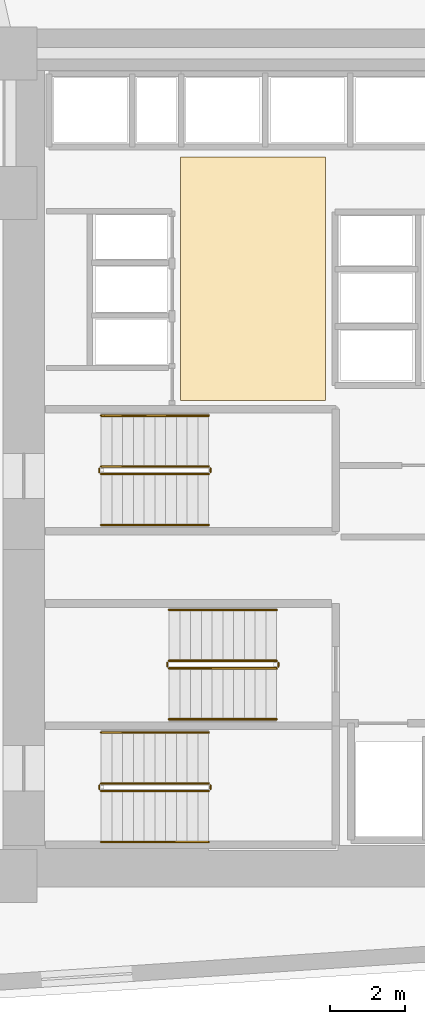
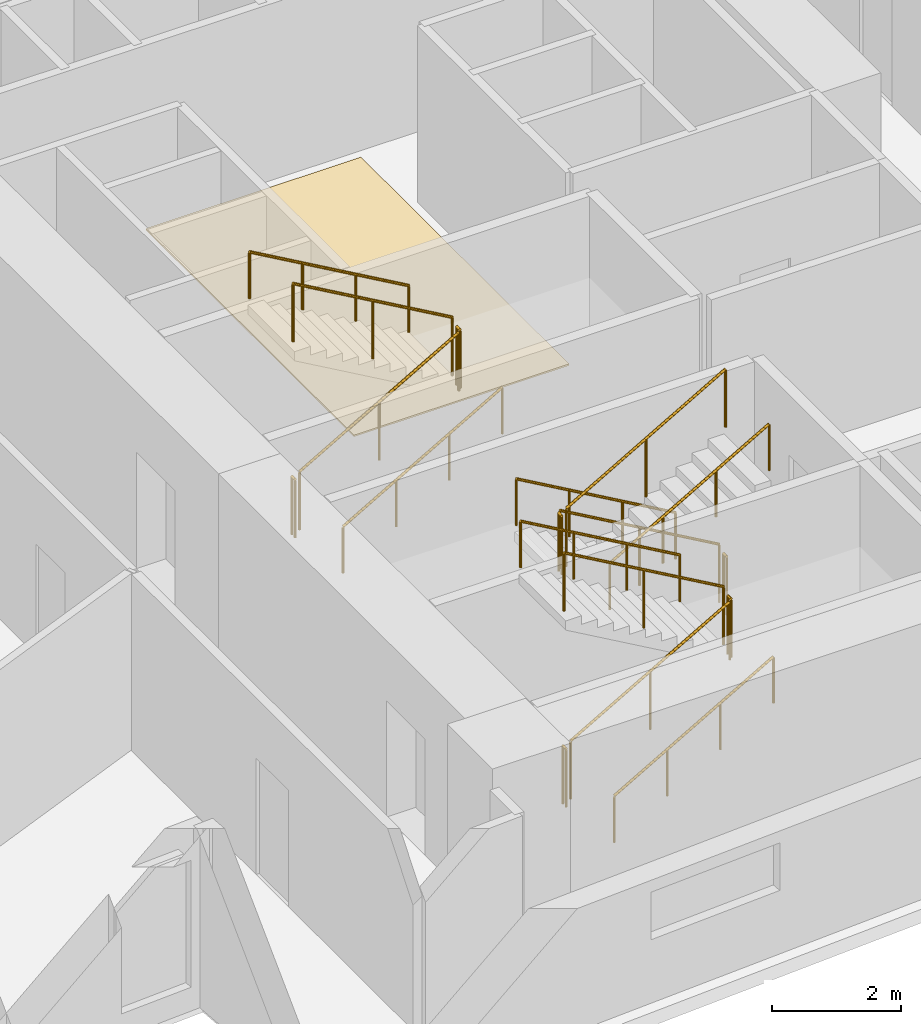
# One storey, part 15 of 16: 18 railings, 1 covering.
"""IFC4 building model written with IfcOpenShell, lengths in metres."""

from ifc_helpers import new_model, si_unit, direction, frame, origin, origin_2d, place, context, subcontext, project, spatial, polyline, circle, outline, extrude, material, layer, layer_set, type_object, element, save


model = new_model("IFC4")

# Units and contexts
model_context = context("Model", 3, precision=1e-05, world=origin(), true_north=direction((0.0, 1.0)))
body_context = subcontext(model_context, "Body", "Model", "MODEL_VIEW")
ifc_project = project(units=[si_unit("LENGTHUNIT", "METRE"), si_unit("AREAUNIT", "SQUARE_METRE"), si_unit("VOLUMEUNIT", "CUBIC_METRE"), si_unit("PLANEANGLEUNIT", "RADIAN"), si_unit("MASSUNIT", "GRAM", prefix="KILO")], contexts=[model_context])

# Site, building, storey
site_placement = place(None, origin())
site = spatial("IfcSite", under=ifc_project, at=site_placement, CompositionType="ELEMENT")
building_placement = place(site_placement, origin())
building = spatial("IfcBuilding", under=site, at=building_placement, Name="Narakoshi Arena Tower", CompositionType="ELEMENT")
storey_placement = place(building_placement, frame((0.0, 0.0, 81.300048828125)))
storey = spatial("IfcBuildingStorey", under=building, at=storey_placement, Name="L21", CompositionType="ELEMENT", Elevation=81.300048828125)

# Covering
ifc_material_1 = material(Name="Honed granite stone paving", Category="masonry")
ifc_layer = layer(ifc_material_1, 0.030029296875)
ifc_layer_set = layer_set([ifc_layer], Name="Honed granite stone paving")
covering_type = type_object("IfcCoveringType", Name="COV-FLR-ST30", PredefinedType="FLOORING", material=ifc_layer_set)
covering_placement = place(storey_placement, origin())
element("IfcCovering", 1, at=covering_placement, inside=storey, type_object=covering_type, Name="L21 Lift Lobby Granite Flooring", PredefinedType="FLOORING", context=body_context, shape_type="SweptSolid", body=[
    extrude(outline(polyline([(76.5, 47.300048828125), (80.35009765625, 47.300048828125), (80.35009765625, 53.75), (76.5, 53.75), (76.5, 47.300048828125)])), origin(), (0.0, 0.0, 1.0), 0.030029296875),
])

# Railings
ifc_material_2 = material(Name="Clear low-iron laminated structural glass", Category="glass")
railing_type_1 = type_object("IfcRailingType", Name="RL-BAL-1100", PredefinedType="BALUSTRADE", material=ifc_material_2)
railing_1_placement = place(storey_placement, frame((74.39990234375, 36.949951171875, 0.16357421875)))
element("IfcRailing", 2, at=railing_1_placement, inside=storey, type_object=railing_type_1, Name="L21 ST1 stair guard 1", PredefinedType="BALUSTRADE", context=body_context, shape_type="SweptSolid", body=[
    extrude(circle(Radius=0.02392578125, at=origin_2d()), frame((0.0, 0.0, 1.09619140625), z_axis=(0.86721270334, 0.0, 0.497937874806), x_axis=(0.0, 1.0, 0.0)), (0.0, 0.0, 1.0), 3.28662109375),
    extrude(circle(Radius=0.02099609375, at=origin_2d()), origin(), (0.0, 0.0, 1.0), 1.072021484375),
    extrude(circle(Radius=0.02099609375, at=origin_2d()), frame((1.425048828125, 0.0, 0.818359375)), (0.0, 0.0, 1.0), 1.072021484375),
    extrude(circle(Radius=0.02099609375, at=origin_2d()), frame((2.85009765625, 0.0, 1.636474609375)), (0.0, 0.0, 1.0), 1.072021484375),
])
railing_2_placement = place(storey_placement, frame((77.300048828125, 37.0, 1.800048828125)))
element("IfcRailing", 3, at=railing_2_placement, inside=storey, type_object=railing_type_1, Name="L21 ST1 stair guard 2", PredefinedType="BALUSTRADE", context=body_context, shape_type="SweptSolid", body=[
    extrude(circle(Radius=0.02392578125, at=origin_2d()), frame((0.0, 0.0, 1.09619140625), z_axis=(0.0, 1.0, 0.0), x_axis=(-1.0, 0.0, 0.0)), (0.0, 0.0, 1.0), 0.10009765625),
    extrude(circle(Radius=0.02099609375, at=origin_2d()), origin(), (0.0, 0.0, 1.0), 1.072021484375),
    extrude(circle(Radius=0.02099609375, at=origin_2d()), frame((0.0, 0.10009765625, 0.0)), (0.0, 0.0, 1.0), 1.072021484375),
])
railing_3_placement = place(storey_placement, frame((77.25, 37.14990234375, 1.963623046875)))
element("IfcRailing", 4, at=railing_3_placement, inside=storey, type_object=railing_type_1, Name="L21 ST1 stair guard 3", PredefinedType="BALUSTRADE", context=body_context, shape_type="SweptSolid", body=[
    extrude(circle(Radius=0.02392578125, at=origin_2d()), frame((0.0, 0.0, 1.09619140625), z_axis=(-0.867244780686, 0.0, 0.497882004468), x_axis=(0.0, -1.0, 0.0)), (0.0, 0.0, 1.0), 3.286376953125),
    extrude(circle(Radius=0.02099609375, at=origin_2d()), origin(), (0.0, 0.0, 1.0), 1.072021484375),
    extrude(circle(Radius=0.02099609375, at=origin_2d()), frame((-1.425048828125, 0.0, 0.818115234375)), (0.0, 0.0, 1.0), 1.072021484375),
    extrude(circle(Radius=0.02099609375, at=origin_2d()), frame((-2.85009765625, 0.0, 1.63623046875)), (0.0, 0.0, 1.0), 1.072021484375),
])
railing_4_placement = place(storey_placement, frame((74.35009765625, 37.0, 0.0)))
element("IfcRailing", 5, at=railing_4_placement, inside=storey, type_object=railing_type_1, Name="L21 ST1 stair guard 4", PredefinedType="BALUSTRADE", context=body_context, shape_type="SweptSolid", body=[
    extrude(circle(Radius=0.02392578125, at=origin_2d()), frame((0.0, 0.0, 1.09619140625), z_axis=(0.0, 1.0, 0.0), x_axis=(-1.0, 0.0, 0.0)), (0.0, 0.0, 1.0), 0.10009765625),
    extrude(circle(Radius=0.02099609375, at=origin_2d()), origin(), (0.0, 0.0, 1.0), 1.072021484375),
    extrude(circle(Radius=0.02099609375, at=origin_2d()), frame((0.0, 0.10009765625, 0.0)), (0.0, 0.0, 1.0), 1.072021484375),
])
railing_5_placement = place(storey_placement, frame((79.050048828125, 40.39990234375, 0.16357421875)))
element("IfcRailing", 6, at=railing_5_placement, inside=storey, type_object=railing_type_1, Name="L21 ST2 stair guard 1", PredefinedType="BALUSTRADE", context=body_context, shape_type="SweptSolid", body=[
    extrude(circle(Radius=0.02392578125, at=origin_2d()), frame((0.0, 0.0, 1.09619140625), z_axis=(-0.86721270334, 0.0, 0.497937874806), x_axis=(0.0, -1.0, 0.0)), (0.0, 0.0, 1.0), 3.28662109375),
    extrude(circle(Radius=0.02099609375, at=origin_2d()), origin(), (0.0, 0.0, 1.0), 1.072021484375),
    extrude(circle(Radius=0.02099609375, at=origin_2d()), frame((-1.425048828125, 0.0, 0.818359375)), (0.0, 0.0, 1.0), 1.072021484375),
    extrude(circle(Radius=0.02099609375, at=origin_2d()), frame((-2.85009765625, 0.0, 1.636474609375)), (0.0, 0.0, 1.0), 1.072021484375),
])
railing_6_placement = place(storey_placement, frame((76.14990234375, 40.35009765625, 1.800048828125)))
element("IfcRailing", 7, at=railing_6_placement, inside=storey, type_object=railing_type_1, Name="L21 ST2 stair guard 2", PredefinedType="BALUSTRADE", context=body_context, shape_type="SweptSolid", body=[
    extrude(circle(Radius=0.02392578125, at=origin_2d()), frame((0.0, 0.0, 1.09619140625), z_axis=(0.0, -1.0, 0.0), x_axis=(1.0, 0.0, 0.0)), (0.0, 0.0, 1.0), 0.10009765625),
    extrude(circle(Radius=0.02099609375, at=origin_2d()), origin(), (0.0, 0.0, 1.0), 1.072021484375),
    extrude(circle(Radius=0.02099609375, at=origin_2d()), frame((0.0, -0.10009765625, 0.0)), (0.0, 0.0, 1.0), 1.072021484375),
])
railing_7_placement = place(storey_placement, frame((76.199951171875, 40.199951171875, 1.963623046875)))
element("IfcRailing", 8, at=railing_7_placement, inside=storey, type_object=railing_type_1, Name="L21 ST2 stair guard 3", PredefinedType="BALUSTRADE", context=body_context, shape_type="SweptSolid", body=[
    extrude(circle(Radius=0.02392578125, at=origin_2d()), frame((0.0, 0.0, 1.09619140625), z_axis=(0.867244780686, 0.0, 0.497882004468), x_axis=(0.0, 1.0, 0.0)), (0.0, 0.0, 1.0), 3.286376953125),
    extrude(circle(Radius=0.02099609375, at=origin_2d()), origin(), (0.0, 0.0, 1.0), 1.072021484375),
    extrude(circle(Radius=0.02099609375, at=origin_2d()), frame((1.425048828125, 0.0, 0.818115234375)), (0.0, 0.0, 1.0), 1.072021484375),
    extrude(circle(Radius=0.02099609375, at=origin_2d()), frame((2.85009765625, 0.0, 1.63623046875)), (0.0, 0.0, 1.0), 1.072021484375),
])
railing_8_placement = place(storey_placement, frame((79.10009765625, 40.35009765625, 0.0)))
element("IfcRailing", 9, at=railing_8_placement, inside=storey, type_object=railing_type_1, Name="L21 ST2 stair guard 4", PredefinedType="BALUSTRADE", context=body_context, shape_type="SweptSolid", body=[
    extrude(circle(Radius=0.02392578125, at=origin_2d()), frame((0.0, 0.0, 1.09619140625), z_axis=(0.0, -1.0, 0.0), x_axis=(1.0, 0.0, 0.0)), (0.0, 0.0, 1.0), 0.10009765625),
    extrude(circle(Radius=0.02099609375, at=origin_2d()), origin(), (0.0, 0.0, 1.0), 1.072021484375),
    extrude(circle(Radius=0.02099609375, at=origin_2d()), frame((0.0, -0.10009765625, 0.0)), (0.0, 0.0, 1.0), 1.072021484375),
])
railing_9_placement = place(storey_placement, frame((74.39990234375, 45.35009765625, 0.16357421875)))
element("IfcRailing", 10, at=railing_9_placement, inside=storey, type_object=railing_type_1, Name="L21 ST3 stair guard 1", PredefinedType="BALUSTRADE", context=body_context, shape_type="SweptSolid", body=[
    extrude(circle(Radius=0.02392578125, at=origin_2d()), frame((0.0, 0.0, 1.09619140625), z_axis=(0.86721270334, 0.0, 0.497937874806), x_axis=(0.0, 1.0, 0.0)), (0.0, 0.0, 1.0), 3.28662109375),
    extrude(circle(Radius=0.02099609375, at=origin_2d()), origin(), (0.0, 0.0, 1.0), 1.072021484375),
    extrude(circle(Radius=0.02099609375, at=origin_2d()), frame((1.425048828125, 0.0, 0.818359375)), (0.0, 0.0, 1.0), 1.072021484375),
    extrude(circle(Radius=0.02099609375, at=origin_2d()), frame((2.85009765625, 0.0, 1.636474609375)), (0.0, 0.0, 1.0), 1.072021484375),
])
railing_10_placement = place(storey_placement, frame((77.300048828125, 45.39990234375, 1.800048828125)))
element("IfcRailing", 11, at=railing_10_placement, inside=storey, type_object=railing_type_1, Name="L21 ST3 stair guard 2", PredefinedType="BALUSTRADE", context=body_context, shape_type="SweptSolid", body=[
    extrude(circle(Radius=0.02392578125, at=origin_2d()), frame((0.0, 0.0, 1.09619140625), z_axis=(0.0, 1.0, 0.0), x_axis=(-1.0, 0.0, 0.0)), (0.0, 0.0, 1.0), 0.10009765625),
    extrude(circle(Radius=0.02099609375, at=origin_2d()), origin(), (0.0, 0.0, 1.0), 1.072021484375),
    extrude(circle(Radius=0.02099609375, at=origin_2d()), frame((0.0, 0.10009765625, 0.0)), (0.0, 0.0, 1.0), 1.072021484375),
])
railing_11_placement = place(storey_placement, frame((77.25, 45.550048828125, 1.963623046875)))
element("IfcRailing", 12, at=railing_11_placement, inside=storey, type_object=railing_type_1, Name="L21 ST3 stair guard 3", PredefinedType="BALUSTRADE", context=body_context, shape_type="SweptSolid", body=[
    extrude(circle(Radius=0.02392578125, at=origin_2d()), frame((0.0, 0.0, 1.09619140625), z_axis=(-0.867244780686, 0.0, 0.497882004468), x_axis=(0.0, -1.0, 0.0)), (0.0, 0.0, 1.0), 3.286376953125),
    extrude(circle(Radius=0.02099609375, at=origin_2d()), origin(), (0.0, 0.0, 1.0), 1.072021484375),
    extrude(circle(Radius=0.02099609375, at=origin_2d()), frame((-1.425048828125, 0.0, 0.818115234375)), (0.0, 0.0, 1.0), 1.072021484375),
    extrude(circle(Radius=0.02099609375, at=origin_2d()), frame((-2.85009765625, 0.0, 1.63623046875)), (0.0, 0.0, 1.0), 1.072021484375),
])
railing_12_placement = place(storey_placement, frame((74.35009765625, 45.39990234375, 0.0)))
element("IfcRailing", 13, at=railing_12_placement, inside=storey, type_object=railing_type_1, Name="L21 ST3 stair guard 4", PredefinedType="BALUSTRADE", context=body_context, shape_type="SweptSolid", body=[
    extrude(circle(Radius=0.02392578125, at=origin_2d()), frame((0.0, 0.0, 1.09619140625), z_axis=(0.0, 1.0, 0.0), x_axis=(-1.0, 0.0, 0.0)), (0.0, 0.0, 1.0), 0.10009765625),
    extrude(circle(Radius=0.02099609375, at=origin_2d()), origin(), (0.0, 0.0, 1.0), 1.072021484375),
    extrude(circle(Radius=0.02099609375, at=origin_2d()), frame((0.0, 0.10009765625, 0.0)), (0.0, 0.0, 1.0), 1.072021484375),
])
ifc_material_3 = material(Name="Brushed bronze stainless steel", Category="steel")
railing_type_2 = type_object("IfcRailingType", Name="RL-HND-900", PredefinedType="HANDRAIL", material=ifc_material_3)
railing_13_placement = place(storey_placement, frame((74.39990234375, 35.60009765625, 0.16357421875)))
element("IfcRailing", 14, at=railing_13_placement, inside=storey, type_object=railing_type_2, Name="L21 ST1 stair handrail 1", PredefinedType="HANDRAIL", context=body_context, shape_type="SweptSolid", body=[
    extrude(circle(Radius=0.02392578125, at=origin_2d()), frame((0.0, 0.0, 0.8759765625), z_axis=(0.86721270334, 0.0, 0.497937874806), x_axis=(0.0, 1.0, 0.0)), (0.0, 0.0, 1.0), 3.28662109375),
    extrude(circle(Radius=0.02099609375, at=origin_2d()), origin(), (0.0, 0.0, 1.0), 0.851806640625),
    extrude(circle(Radius=0.02099609375, at=origin_2d()), frame((0.949951171875, 0.0, 0.54541015625)), (0.0, 0.0, 1.0), 0.851806640625),
    extrude(circle(Radius=0.02099609375, at=origin_2d()), frame((1.900146484375, 0.0, 1.091064453125)), (0.0, 0.0, 1.0), 0.851806640625),
    extrude(circle(Radius=0.02099609375, at=origin_2d()), frame((2.85009765625, 0.0, 1.636474609375)), (0.0, 0.0, 1.0), 0.851806640625),
])
railing_14_placement = place(storey_placement, frame((77.25, 38.5, 1.963623046875)))
element("IfcRailing", 15, at=railing_14_placement, inside=storey, type_object=railing_type_2, Name="L21 ST1 stair handrail 2", PredefinedType="HANDRAIL", context=body_context, shape_type="SweptSolid", body=[
    extrude(circle(Radius=0.02392578125, at=origin_2d()), frame((0.0, 0.0, 0.8759765625), z_axis=(-0.867244780686, 0.0, 0.497882004468), x_axis=(0.0, -1.0, 0.0)), (0.0, 0.0, 1.0), 3.286376953125),
    extrude(circle(Radius=0.02099609375, at=origin_2d()), origin(), (0.0, 0.0, 1.0), 0.851806640625),
    extrude(circle(Radius=0.02099609375, at=origin_2d()), frame((-0.949951171875, 0.0, 0.54541015625)), (0.0, 0.0, 1.0), 0.851806640625),
    extrude(circle(Radius=0.02099609375, at=origin_2d()), frame((-1.900146484375, 0.0, 1.0908203125)), (0.0, 0.0, 1.0), 0.851806640625),
    extrude(circle(Radius=0.02099609375, at=origin_2d()), frame((-2.85009765625, 0.0, 1.63623046875)), (0.0, 0.0, 1.0), 0.851806640625),
])
railing_15_placement = place(storey_placement, frame((79.050048828125, 41.75, 0.16357421875)))
element("IfcRailing", 16, at=railing_15_placement, inside=storey, type_object=railing_type_2, Name="L21 ST2 stair handrail 1", PredefinedType="HANDRAIL", context=body_context, shape_type="SweptSolid", body=[
    extrude(circle(Radius=0.02392578125, at=origin_2d()), frame((0.0, 0.0, 0.8759765625), z_axis=(-0.86721270334, 0.0, 0.497937874806), x_axis=(0.0, -1.0, 0.0)), (0.0, 0.0, 1.0), 3.28662109375),
    extrude(circle(Radius=0.02099609375, at=origin_2d()), origin(), (0.0, 0.0, 1.0), 0.851806640625),
    extrude(circle(Radius=0.02099609375, at=origin_2d()), frame((-0.949951171875, 0.0, 0.54541015625)), (0.0, 0.0, 1.0), 0.851806640625),
    extrude(circle(Radius=0.02099609375, at=origin_2d()), frame((-1.900146484375, 0.0, 1.091064453125)), (0.0, 0.0, 1.0), 0.851806640625),
    extrude(circle(Radius=0.02099609375, at=origin_2d()), frame((-2.85009765625, 0.0, 1.636474609375)), (0.0, 0.0, 1.0), 0.851806640625),
])
railing_16_placement = place(storey_placement, frame((76.199951171875, 38.85009765625, 1.963623046875)))
element("IfcRailing", 17, at=railing_16_placement, inside=storey, type_object=railing_type_2, Name="L21 ST2 stair handrail 2", PredefinedType="HANDRAIL", context=body_context, shape_type="SweptSolid", body=[
    extrude(circle(Radius=0.02392578125, at=origin_2d()), frame((0.0, 0.0, 0.8759765625), z_axis=(0.867244780686, 0.0, 0.497882004468), x_axis=(0.0, 1.0, 0.0)), (0.0, 0.0, 1.0), 3.286376953125),
    extrude(circle(Radius=0.02099609375, at=origin_2d()), origin(), (0.0, 0.0, 1.0), 0.851806640625),
    extrude(circle(Radius=0.02099609375, at=origin_2d()), frame((0.949951171875, 0.0, 0.54541015625)), (0.0, 0.0, 1.0), 0.851806640625),
    extrude(circle(Radius=0.02099609375, at=origin_2d()), frame((1.900146484375, 0.0, 1.0908203125)), (0.0, 0.0, 1.0), 0.851806640625),
    extrude(circle(Radius=0.02099609375, at=origin_2d()), frame((2.85009765625, 0.0, 1.63623046875)), (0.0, 0.0, 1.0), 0.851806640625),
])
railing_17_placement = place(storey_placement, frame((74.39990234375, 44.0, 0.16357421875)))
element("IfcRailing", 18, at=railing_17_placement, inside=storey, type_object=railing_type_2, Name="L21 ST3 stair handrail 1", PredefinedType="HANDRAIL", context=body_context, shape_type="SweptSolid", body=[
    extrude(circle(Radius=0.02392578125, at=origin_2d()), frame((0.0, 0.0, 0.8759765625), z_axis=(0.86721270334, 0.0, 0.497937874806), x_axis=(0.0, 1.0, 0.0)), (0.0, 0.0, 1.0), 3.28662109375),
    extrude(circle(Radius=0.02099609375, at=origin_2d()), origin(), (0.0, 0.0, 1.0), 0.851806640625),
    extrude(circle(Radius=0.02099609375, at=origin_2d()), frame((0.949951171875, 0.0, 0.54541015625)), (0.0, 0.0, 1.0), 0.851806640625),
    extrude(circle(Radius=0.02099609375, at=origin_2d()), frame((1.900146484375, 0.0, 1.091064453125)), (0.0, 0.0, 1.0), 0.851806640625),
    extrude(circle(Radius=0.02099609375, at=origin_2d()), frame((2.85009765625, 0.0, 1.636474609375)), (0.0, 0.0, 1.0), 0.851806640625),
])
railing_18_placement = place(storey_placement, frame((77.25, 46.89990234375, 1.963623046875)))
element("IfcRailing", 19, at=railing_18_placement, inside=storey, type_object=railing_type_2, Name="L21 ST3 stair handrail 2", PredefinedType="HANDRAIL", context=body_context, shape_type="SweptSolid", body=[
    extrude(circle(Radius=0.02392578125, at=origin_2d()), frame((0.0, 0.0, 0.8759765625), z_axis=(-0.867244780686, 0.0, 0.497882004468), x_axis=(0.0, -1.0, 0.0)), (0.0, 0.0, 1.0), 3.286376953125),
    extrude(circle(Radius=0.02099609375, at=origin_2d()), origin(), (0.0, 0.0, 1.0), 0.851806640625),
    extrude(circle(Radius=0.02099609375, at=origin_2d()), frame((-0.949951171875, 0.0, 0.54541015625)), (0.0, 0.0, 1.0), 0.851806640625),
    extrude(circle(Radius=0.02099609375, at=origin_2d()), frame((-1.900146484375, 0.0, 1.0908203125)), (0.0, 0.0, 1.0), 0.851806640625),
    extrude(circle(Radius=0.02099609375, at=origin_2d()), frame((-2.85009765625, 0.0, 1.63623046875)), (0.0, 0.0, 1.0), 0.851806640625),
])

save(model, "model.ifc")
